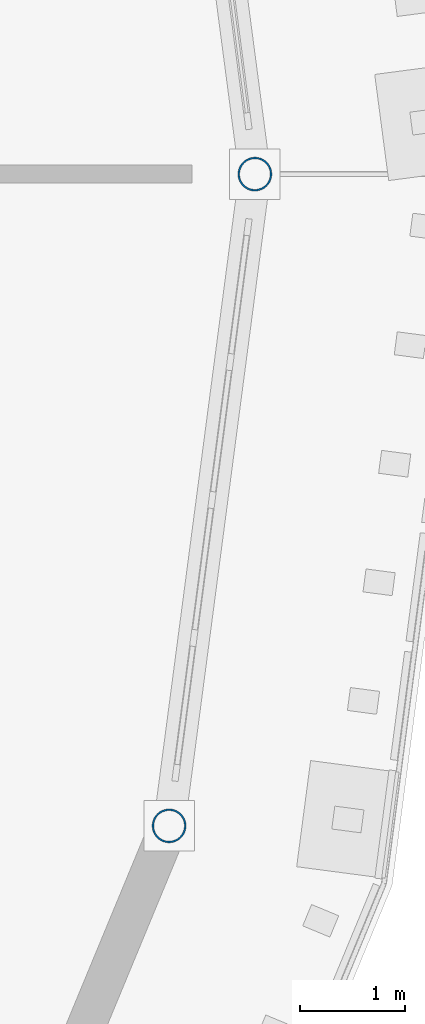
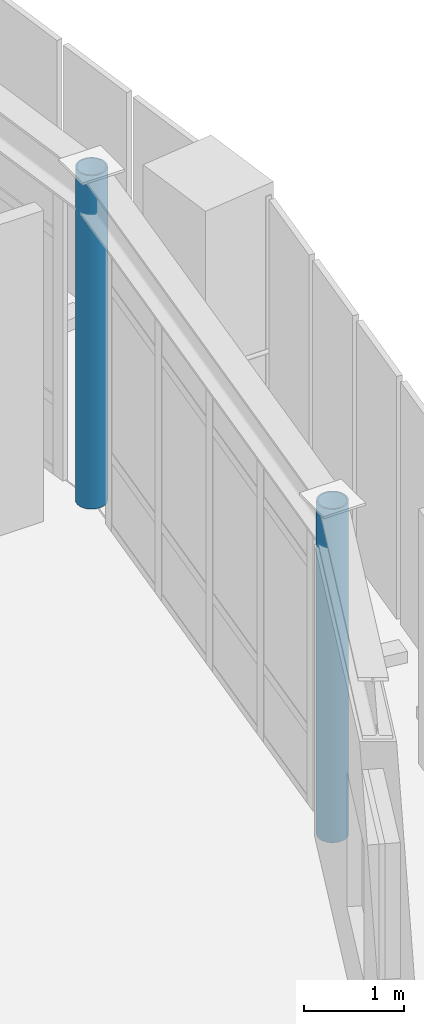
# One storey, part 6 of 58: 2 columns.
"""IFC4 building model written with IfcOpenShell, lengths in metres."""

from ifc_helpers import new_model, si_unit, derived_unit, direction, frame, origin, origin_2d, place, context, subcontext, project, spatial, hollow_circle, extrude, material, material_profile, profile_set, type_object, element, save


model = new_model("IFC4")

# Units and contexts
model_context = context("Model", 3, precision=1e-05, world=origin(), true_north=direction((0.0, 1.0)))
body_context = subcontext(model_context, "Body", "Model", "MODEL_VIEW")
ifc_project = project(units=[si_unit("LENGTHUNIT", "METRE"), si_unit("AREAUNIT", "SQUARE_METRE"), si_unit("VOLUMEUNIT", "CUBIC_METRE"), si_unit("PLANEANGLEUNIT", "RADIAN"), si_unit("MASSUNIT", "GRAM", prefix="KILO"), derived_unit("THERMALTRANSMITTANCEUNIT", [(si_unit("POWERUNIT", "WATT"), 1), (si_unit("AREAUNIT", "SQUARE_METRE"), -1), (si_unit("THERMODYNAMICTEMPERATUREUNIT", "KELVIN"), -1)])], contexts=[model_context])

# Site, building, storey
site_placement = place(None, origin())
site = spatial("IfcSite", under=ifc_project, at=site_placement, CompositionType="ELEMENT")
building_placement = place(site_placement, origin())
building = spatial("IfcBuilding", under=site, at=building_placement, Name="Yasenodar Specialist Clinic", CompositionType="ELEMENT")
storey_placement = place(building_placement, frame((0.0, 0.0, 17.25)))
storey = spatial("IfcBuildingStorey", under=building, at=storey_placement, Name="L04", CompositionType="ELEMENT", Elevation=17.25)

# Columns
ifc_material = material(Name="Steel S355", Category="steel")
ifc_material_profile = material_profile(ifc_material, hollow_circle(Radius=0.161865234375, WallThickness=0.01611328125, at=origin_2d()), Name="CHS 323.9x16")
ifc_profile_set = profile_set([ifc_material_profile], Name="Steel S355")
column_type = type_object("IfcColumnType", Name="COL-ST-CHS324", PredefinedType="COLUMN", material=ifc_profile_set)
for number, where, z_axis, x_axis, name in (
    (1, (105.0, 58.800048828125, 0.0), (0.0, 0.0, 1.0), (1.0, 0.0, 0.0), "L04 Drum V1 Outer Column 01"),
    (2, (104.18212890625, 52.58837890625, 0.0), (0.0, 0.0, 1.0), (1.0, 0.0, 0.0), "L04 Drum V1 Outer Column 24"),
):
    element("IfcColumn", number, at=place(storey_placement, frame(where, z_axis=z_axis, x_axis=x_axis)), inside=storey, type_object=column_type, Name=name, PredefinedType="COLUMN", context=body_context, shape_type="SweptSolid", body=[
        extrude(hollow_circle(Radius=0.161865234375, WallThickness=0.01611328125, at=origin_2d()), origin(), (0.0, 0.0, 1.0), 4.050048828125),
    ])

save(model, "model.ifc")
